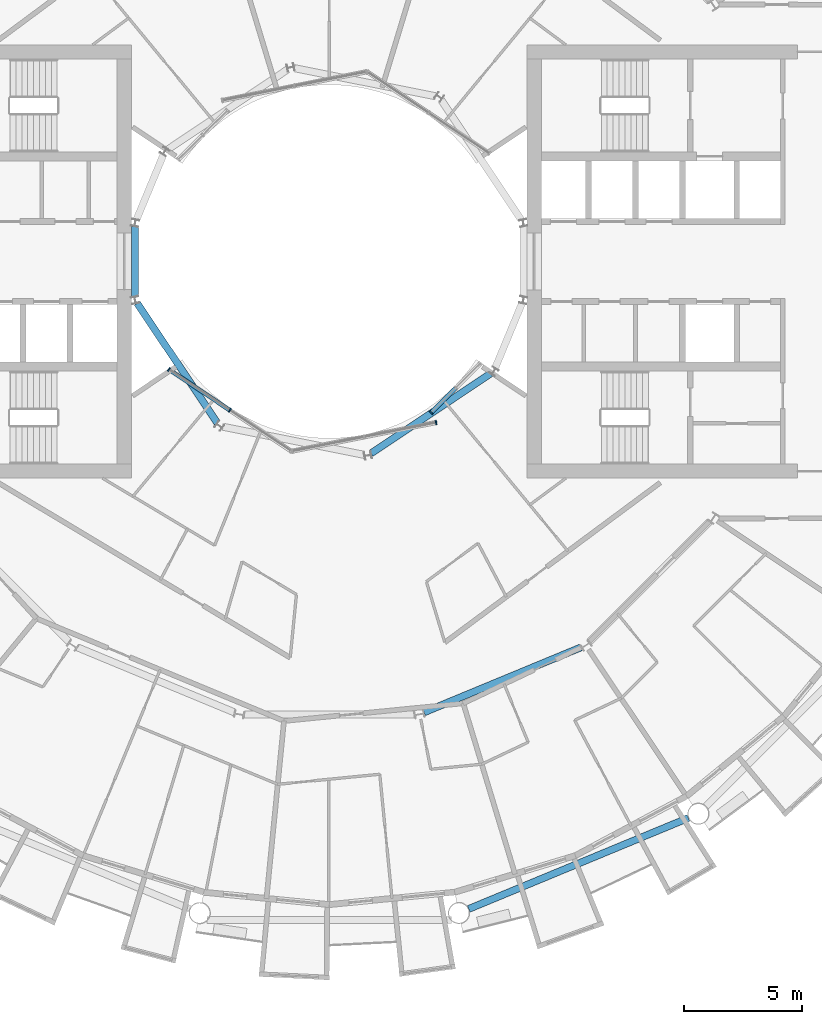
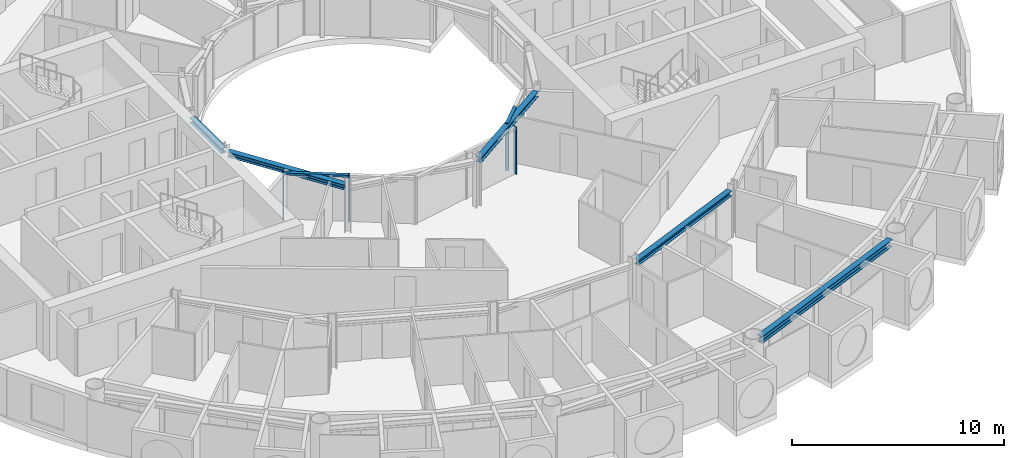
# One storey, part 6 of 27: 6 members, 5 beams, 3 elements without a shape of their own.
"""IFC4 building model written with IfcOpenShell, lengths in metres."""

from ifc_helpers import new_model, si_unit, direction, frame, origin, origin_2d, place, context, subcontext, project, spatial, rectangle, i_section, extrude, material, layer, layer_set, material_profile, profile_set, type_object, element, aggregate, save


model = new_model("IFC4")

# Units and contexts
model_context = context("Model", 3, precision=1e-05, world=origin(), true_north=direction((0.0, 1.0)))
body_context = subcontext(model_context, "Body", "Model", "MODEL_VIEW")
ifc_project = project(units=[si_unit("LENGTHUNIT", "METRE"), si_unit("AREAUNIT", "SQUARE_METRE"), si_unit("VOLUMEUNIT", "CUBIC_METRE"), si_unit("PLANEANGLEUNIT", "RADIAN"), si_unit("MASSUNIT", "GRAM", prefix="KILO")], contexts=[model_context])

# Site, building, storey
site_placement = place(None, origin())
site = spatial("IfcSite", under=ifc_project, at=site_placement, CompositionType="ELEMENT")
building_placement = place(site_placement, origin())
building = spatial("IfcBuilding", under=site, at=building_placement, Name="Maasbend Ring Residences", CompositionType="ELEMENT")
storey_placement = place(building_placement, frame((0.0, 0.0, 120.800048828125)))
storey = spatial("IfcBuildingStorey", under=building, at=storey_placement, Name="L34", CompositionType="ELEMENT", Elevation=120.800048828125)

# Curtain wall, members
ifc_material_1 = material(Name="Aluminium and clear glass", Category="aluminium")
ifc_layer = layer(ifc_material_1, 0.179931640625)
ifc_layer_set = layer_set([ifc_layer], Name="CW-W")
curtain_wall_type = type_object("IfcCurtainWallType", Name="CW-W", PredefinedType="NOTDEFINED", material=ifc_layer_set)
curtain_wall_1_placement = place(storey_placement, origin())
curtain_wall_1 = element("IfcCurtainWall", 1, at=curtain_wall_1_placement, inside=storey, type_object=curtain_wall_type, Name="Well curtain wall S1", PredefinedType="NOTDEFINED")
ifc_material_2 = material(Name="Aluminium 6063-T6", Category="aluminium")
ifc_material_profile_1 = material_profile(ifc_material_2, rectangle(XDim=0.179931640625, YDim=0.06005859375, at=origin_2d()), Name="AL 180x60")
ifc_profile_set_1 = profile_set([ifc_material_profile_1], Name="Aluminium 6063-T6")
member_type_1 = type_object("IfcMemberType", Name="CWM-W", PredefinedType="MULLION", material=ifc_profile_set_1)
member_1_placement = place(storey_placement, frame((-6.805908203125, -4.580810546875, 0.0), z_axis=(0.0, 0.0, 1.0), x_axis=(0.55557023302, 0.831469612303, 0.0)))
member_1 = element("IfcMember", 2, at=member_1_placement, type_object=member_type_1, Name="Mullion well face", PredefinedType="MULLION", context=body_context, shape_type="SweptSolid", body=[
    extrude(rectangle(XDim=0.179931640625, YDim=0.06005859375, at=origin_2d()), origin(), (0.0, 0.0, 1.0), 2.699951171875),
])
member_2_placement = place(storey_placement, frame((-4.216796875, -6.310791015625, 0.0), z_axis=(0.0, 0.0, 1.0), x_axis=(0.55557023302, 0.831469612303, 0.0)))
member_2 = element("IfcMember", 3, at=member_2_placement, type_object=member_type_1, Name="Mullion well face", PredefinedType="MULLION", context=body_context, shape_type="SweptSolid", body=[
    extrude(rectangle(XDim=0.179931640625, YDim=0.06005859375, at=origin_2d()), origin(), (0.0, 0.0, 1.0), 2.699951171875),
])

# Curtain wall, member
curtain_wall_2_placement = place(storey_placement, origin())
curtain_wall_2 = element("IfcCurtainWall", 4, at=curtain_wall_2_placement, inside=storey, type_object=curtain_wall_type, Name="Well curtain wall S2", PredefinedType="NOTDEFINED")
member_3_placement = place(storey_placement, frame((4.53466796875, -6.836669921875, 0.0), z_axis=(0.0, 0.0, 1.0), x_axis=(-0.195090322016, 0.980785280403, 0.0)))
member_3 = element("IfcMember", 5, at=member_3_placement, type_object=member_type_1, Name="Mullion well face", PredefinedType="MULLION", context=body_context, shape_type="SweptSolid", body=[
    extrude(rectangle(XDim=0.179931640625, YDim=0.06005859375, at=origin_2d()), origin(), (0.0, 0.0, 1.0), 2.699951171875),
])
aggregate(curtain_wall_2, [member_3])

curtain_wall_3_placement = place(storey_placement, origin())
curtain_wall_3 = element("IfcCurtainWall", 6, at=curtain_wall_3_placement, inside=storey, type_object=curtain_wall_type, Name="Well curtain wall S3", PredefinedType="NOTDEFINED")
member_4_placement = place(storey_placement, frame((4.320556640625, -6.413330078125, 0.0), z_axis=(0.0, 0.0, 1.0), x_axis=(-0.707106781187, 0.707106781187, 0.0)))
member_4 = element("IfcMember", 7, at=member_4_placement, type_object=member_type_1, Name="Mullion well face", PredefinedType="MULLION", context=body_context, shape_type="SweptSolid", body=[
    extrude(rectangle(XDim=0.179931640625, YDim=0.06005859375, at=origin_2d()), origin(), (0.0, 0.0, 1.0), 2.699951171875),
])

# Member
ifc_material_3 = material(Name="Aluminium 6063-T6", Category="aluminium")
ifc_material_profile_2 = material_profile(ifc_material_3, rectangle(XDim=0.179931640625, YDim=0.1201171875, at=origin_2d()), Name="AL 180x120")
ifc_profile_set_2 = profile_set([ifc_material_profile_2], Name="Aluminium 6063-T6")
member_type_2 = type_object("IfcMemberType", Name="CWT-W", PredefinedType="USERDEFINED", material=ifc_profile_set_2)
member_5_placement = place(storey_placement, frame((-6.781005859375, -4.59765625, 2.639892578125), z_axis=(0.831496422459, -0.555530106689, 0.0), x_axis=(0.555530106689, 0.831496422459, 0.0)))
member_5 = element("IfcMember", 8, at=member_5_placement, type_object=member_type_2, Name="Transom well face", ObjectType="TRANSOM", PredefinedType="USERDEFINED", context=body_context, shape_type="SweptSolid", body=[
    extrude(rectangle(XDim=0.179931640625, YDim=0.1201171875, at=origin_2d()), origin(), (0.0, 0.0, 1.0), 3.053955078125),
])

aggregate(curtain_wall_1, [member_1, member_2, member_5])

member_6_placement = place(storey_placement, frame((4.341796875, -6.39208984375, 2.639892578125), z_axis=(0.707106781187, 0.707106781187, 0.0), x_axis=(-0.707106781187, 0.707106781187, 0.0)))
member_6 = element("IfcMember", 9, at=member_6_placement, type_object=member_type_2, Name="Transom well face", ObjectType="TRANSOM", PredefinedType="USERDEFINED", context=body_context, shape_type="SweptSolid", body=[
    extrude(rectangle(XDim=0.179931640625, YDim=0.1201171875, at=origin_2d()), origin(), (0.0, 0.0, 1.0), 1.419677734375),
])

aggregate(curtain_wall_3, [member_4, member_6])

# Beams
ifc_material_4 = material(Name="Steel S355J2", Category="steel")
ifc_material_profile_3 = material_profile(ifc_material_4, i_section(OverallWidth=0.300048828125, OverallDepth=0.2900390625, WebThickness=0.008544921875, FlangeThickness=0.013916015625, FilletRadius=0.027099609375, at=origin_2d()), Name="HEA 300")
ifc_profile_set_3 = profile_set([ifc_material_profile_3], Name="Steel S355J2")
beam_type_1 = type_object("IfcBeamType", Name="Corridor ring beam HEA 300", PredefinedType="BEAM", material=ifc_profile_set_3)
beam_1_placement = place(storey_placement, frame((4.02734375, -19.13916015625, 2.554931640625), z_axis=(0.923877693919, 0.382687871089, 0.0), x_axis=(-0.382687871089, 0.923877693919, 0.0)))
element("IfcBeam", 10, at=beam_1_placement, inside=storey, type_object=beam_type_1, Name="Corridor ring beam", PredefinedType="BEAM", context=body_context, shape_type="SweptSolid", body=[
    extrude(i_section(OverallWidth=0.300048828125, OverallDepth=0.2900390625, WebThickness=0.008544921875, FlangeThickness=0.013916015625, FilletRadius=0.027099609375, at=origin_2d()), origin(), (0.0, 0.0, 1.0), 7.20703125),
])
ifc_material_5 = material(Name="Steel S355J2", Category="steel")
ifc_material_profile_4 = material_profile(ifc_material_5, i_section(OverallWidth=0.300048828125, OverallDepth=0.39990234375, WebThickness=0.013427734375, FlangeThickness=0.02392578125, FilletRadius=0.027099609375, at=origin_2d()), Name="HEB 400")
ifc_profile_set_4 = profile_set([ifc_material_profile_4], Name="Steel S355J2")
beam_type_2 = type_object("IfcBeamType", Name="Spandrel ring beam HEB 400", PredefinedType="SPANDREL", material=ifc_profile_set_4)
beam_2_placement = place(storey_placement, frame((5.923583984375, -27.483154296875, 2.5), z_axis=(0.92388529709, 0.382669515144, 0.0), x_axis=(-0.382669515144, 0.92388529709, 0.0)))
element("IfcBeam", 11, at=beam_2_placement, inside=storey, type_object=beam_type_2, Name="Spandrel ring beam", PredefinedType="SPANDREL", context=body_context, shape_type="SweptSolid", body=[
    extrude(i_section(OverallWidth=0.300048828125, OverallDepth=0.39990234375, WebThickness=0.013427734375, FlangeThickness=0.02392578125, FilletRadius=0.027099609375, at=origin_2d()), origin(), (0.0, 0.0, 1.0), 10.089111328125),
])
ifc_material_6 = material(Name="Steel S355J2", Category="steel")
ifc_material_profile_5 = material_profile(ifc_material_6, i_section(OverallWidth=0.300048828125, OverallDepth=0.2900390625, WebThickness=0.008544921875, FlangeThickness=0.013916015625, FilletRadius=0.027099609375, at=origin_2d()), Name="HEA 300")
ifc_profile_set_5 = profile_set([ifc_material_profile_5], Name="Steel S355J2")
beam_type_3 = type_object("IfcBeamType", Name="Well edge beam HEA 300", PredefinedType="BEAM", material=ifc_profile_set_5)
beam_3_placement = place(storey_placement, frame((-8.238525390625, 1.48583984375, 2.554931640625), z_axis=(0.0, -1.0, 0.0), x_axis=(1.0, 0.0, 0.0)))
element("IfcBeam", 12, at=beam_3_placement, inside=storey, type_object=beam_type_3, Name="Well edge beam", PredefinedType="BEAM", context=body_context, shape_type="SweptSolid", body=[
    extrude(i_section(OverallWidth=0.300048828125, OverallDepth=0.2900390625, WebThickness=0.008544921875, FlangeThickness=0.013916015625, FilletRadius=0.027099609375, at=origin_2d()), origin(), (0.0, 0.0, 1.0), 2.9716796875),
])
for number, where, z_axis, x_axis, name in (
    (13, (-8.1484375, -1.773681640625, 2.554931640625), (0.555558236289, -0.831477628137, 0.0), (0.831477628137, 0.555558236289, 0.0), "Well edge beam"),
    (14, (1.773681640625, -8.1484375, 2.554931640625), (0.831477628137, 0.555558236289, 0.0), (-0.555558236289, 0.831477628137, 0.0), "Well edge beam"),
):
    element("IfcBeam", number, at=place(storey_placement, frame(where, z_axis=z_axis, x_axis=x_axis)), inside=storey, type_object=beam_type_3, Name=name, PredefinedType="BEAM", context=body_context, shape_type="SweptSolid", body=[
        extrude(i_section(OverallWidth=0.300048828125, OverallDepth=0.2900390625, WebThickness=0.008544921875, FlangeThickness=0.013916015625, FilletRadius=0.027099609375, at=origin_2d()), origin(), (0.0, 0.0, 1.0), 6.1044921875),
    ])

save(model, "model.ifc")
